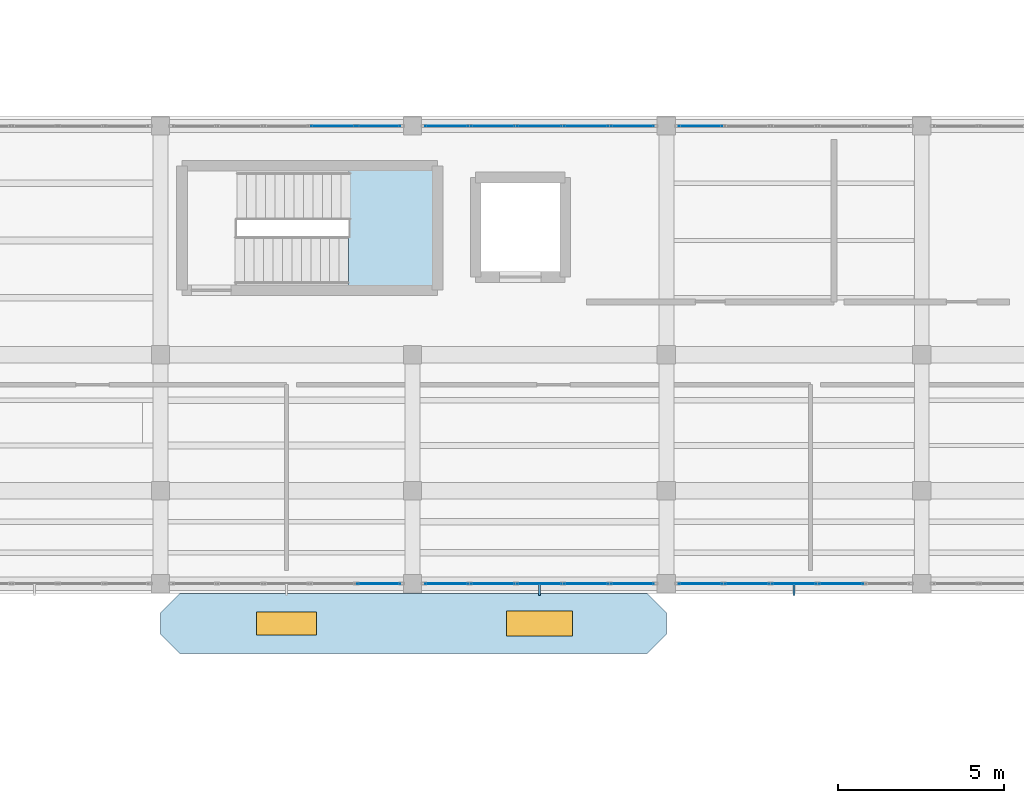
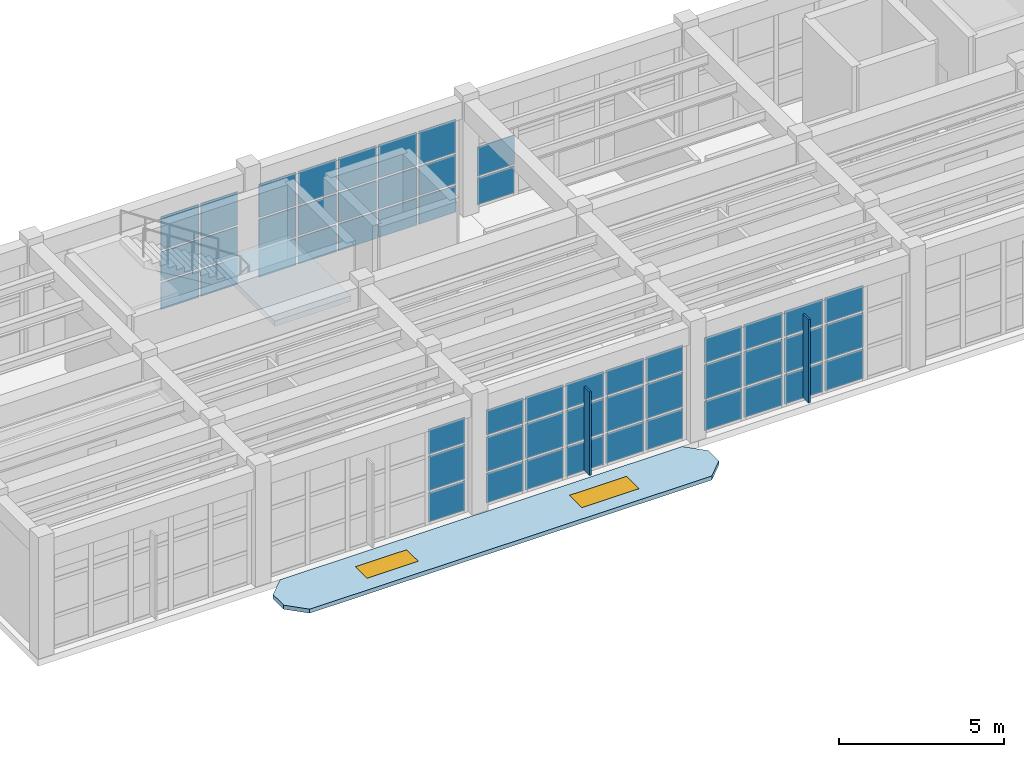
# One storey, part 56 of 85: 55 plates, 2 slabs, 2 windows, 2 openings, 7 elements without a shape of their own.
"""IFC4 building model written with IfcOpenShell, lengths in metres."""

from ifc_helpers import new_model, si_unit, direction, frame, origin, origin_2d, place, context, subcontext, project, spatial, polyline, rectangle, outline, extrude, material, layer, layer_set, type_object, element, fill, aggregate, save


model = new_model("IFC4")

# Units and contexts
model_context = context("Model", 3, precision=1e-05, world=origin(), true_north=direction((0.0, 1.0)))
body_context = subcontext(model_context, "Body", "Model", "MODEL_VIEW")
ifc_project = project(units=[si_unit("LENGTHUNIT", "METRE"), si_unit("AREAUNIT", "SQUARE_METRE"), si_unit("VOLUMEUNIT", "CUBIC_METRE"), si_unit("PLANEANGLEUNIT", "RADIAN"), si_unit("MASSUNIT", "GRAM", prefix="KILO")], contexts=[model_context])

# Site, building, storey
site_placement = place(None, origin())
site = spatial("IfcSite", under=ifc_project, at=site_placement, CompositionType="ELEMENT")
building_placement = place(site_placement, origin())
building = spatial("IfcBuilding", under=site, at=building_placement, Name="Candilejo Ridge Gondola Terminal", CompositionType="ELEMENT")
storey_placement = place(building_placement, frame((0.0, 0.0, 4.5)))
storey = spatial("IfcBuildingStorey", under=building, at=storey_placement, Name="L01", CompositionType="ELEMENT", Elevation=4.5)

# Curtain wall, plates
ifc_material_1 = material(Name="Anodised aluminium AA 6063-T6", Category="aluminium")
ifc_layer_1 = layer(ifc_material_1, 0.169921875)
ifc_layer_set_1 = layer_set([ifc_layer_1], Name="ARC-CW-GALLERY-3200-700X359")
curtain_wall_type_1 = type_object("IfcCurtainWallType", Name="ARC-CW-GALLERY-3200-700X359", PredefinedType="NOTDEFINED", material=ifc_layer_set_1)
curtain_wall_1_placement = place(storey_placement, origin())
curtain_wall_1 = element("IfcCurtainWall", 1, at=curtain_wall_1_placement, inside=storey, type_object=curtain_wall_type_1, Name="Curtain wall V3 L01-072", PredefinedType="NOTDEFINED")
ifc_material_2 = material(Name="Low-E laminated double glazing 6+12A+6+1.52PVB+6 mm", Category="glass")
ifc_layer_2 = layer(ifc_material_2, 0.028076171875)
ifc_layer_set_2 = layer_set([ifc_layer_2], Name="ARC-CW-GLAZ-PANEL")
plate_type_1 = type_object("IfcPlateType", Name="ARC-CW-GLAZ-PANEL", PredefinedType="CURTAIN_PANEL", material=ifc_layer_set_2)
plate_1_placement = place(storey_placement, frame((99.800048828125, 36.699951171875, 0.0751953125), z_axis=(0.0, 0.0, 1.0), x_axis=(1.0, 0.0, 0.0)))
plate_1 = element("IfcPlate", 2, at=plate_1_placement, type_object=plate_type_1, Name="CW-70X35 panel 4.1", PredefinedType="CURTAIN_PANEL", context=body_context, shape_type="SweptSolid", body=[
    extrude(rectangle(XDim=1.324951171875, YDim=0.028076171875, at=origin_2d()), origin(), (0.0, 0.0, 1.0), 0.987548828125),
])
plate_2_placement = place(storey_placement, frame((99.800048828125, 36.699951171875, 1.1376953125), z_axis=(0.0, 0.0, 1.0), x_axis=(1.0, 0.0, 0.0)))
plate_2 = element("IfcPlate", 3, at=plate_2_placement, type_object=plate_type_1, Name="CW-70X35 panel 4.2", PredefinedType="CURTAIN_PANEL", context=body_context, shape_type="SweptSolid", body=[
    extrude(rectangle(XDim=1.324951171875, YDim=0.028076171875, at=origin_2d()), origin(), (0.0, 0.0, 1.0), 1.074951171875),
])
plate_3_placement = place(storey_placement, frame((99.800048828125, 36.699951171875, 2.28759765625), z_axis=(0.0, 0.0, 1.0), x_axis=(1.0, 0.0, 0.0)))
plate_3 = element("IfcPlate", 4, at=plate_3_placement, type_object=plate_type_1, Name="CW-70X35 panel 4.3", PredefinedType="CURTAIN_PANEL", context=body_context, shape_type="SweptSolid", body=[
    extrude(rectangle(XDim=1.324951171875, YDim=0.028076171875, at=origin_2d()), origin(), (0.0, 0.0, 1.0), 1.2275390625),
])
plate_4_placement = place(storey_placement, frame((101.18115234375, 36.699951171875, 0.0751953125), z_axis=(0.0, 0.0, 1.0), x_axis=(1.0, 0.0, 0.0)))
plate_4 = element("IfcPlate", 5, at=plate_4_placement, type_object=plate_type_1, Name="CW-70X35 panel 5.1", PredefinedType="CURTAIN_PANEL", context=body_context, shape_type="SweptSolid", body=[
    extrude(rectangle(XDim=1.28759765625, YDim=0.028076171875, at=origin_2d()), origin(), (0.0, 0.0, 1.0), 0.987548828125),
])
plate_5_placement = place(storey_placement, frame((101.18115234375, 36.699951171875, 1.1376953125), z_axis=(0.0, 0.0, 1.0), x_axis=(1.0, 0.0, 0.0)))
plate_5 = element("IfcPlate", 6, at=plate_5_placement, type_object=plate_type_1, Name="CW-70X35 panel 5.2", PredefinedType="CURTAIN_PANEL", context=body_context, shape_type="SweptSolid", body=[
    extrude(rectangle(XDim=1.28759765625, YDim=0.028076171875, at=origin_2d()), origin(), (0.0, 0.0, 1.0), 1.074951171875),
])
plate_6_placement = place(storey_placement, frame((101.18115234375, 36.699951171875, 2.28759765625), z_axis=(0.0, 0.0, 1.0), x_axis=(1.0, 0.0, 0.0)))
plate_6 = element("IfcPlate", 7, at=plate_6_placement, type_object=plate_type_1, Name="CW-70X35 panel 5.3", PredefinedType="CURTAIN_PANEL", context=body_context, shape_type="SweptSolid", body=[
    extrude(rectangle(XDim=1.28759765625, YDim=0.028076171875, at=origin_2d()), origin(), (0.0, 0.0, 1.0), 1.2275390625),
])
aggregate(curtain_wall_1, [plate_1, plate_2, plate_3, plate_4, plate_5, plate_6])

ifc_material_3 = material(Name="Anodised aluminium AA 6063-T6", Category="aluminium")
ifc_layer_3 = layer(ifc_material_3, 0.169921875)
ifc_layer_set_3 = layer_set([ifc_layer_3], Name="ARC-CW-CONCOURSE-3600-700X359")
curtain_wall_type_2 = type_object("IfcCurtainWallType", Name="ARC-CW-CONCOURSE-3600-700X359", PredefinedType="NOTDEFINED", material=ifc_layer_set_3)
curtain_wall_2_placement = place(storey_placement, origin())
curtain_wall_2 = element("IfcCurtainWall", 8, at=curtain_wall_2_placement, inside=storey, type_object=curtain_wall_type_2, Name="Curtain wall V3 L01-073", PredefinedType="NOTDEFINED")
plate_7_placement = place(storey_placement, frame((101.18115234375, 22.89990234375, 0.074951171875), z_axis=(0.0, 0.0, 1.0), x_axis=(1.0, 0.0, 0.0)))
plate_7 = element("IfcPlate", 9, at=plate_7_placement, type_object=plate_type_1, Name="CW-70X35 panel 5.1", PredefinedType="CURTAIN_PANEL", context=body_context, shape_type="SweptSolid", body=[
    extrude(rectangle(XDim=1.28759765625, YDim=0.028076171875, at=origin_2d()), origin(), (0.0, 0.0, 1.0), 1.08740234375),
])
plate_8_placement = place(storey_placement, frame((101.18115234375, 22.89990234375, 1.237548828125), z_axis=(0.0, 0.0, 1.0), x_axis=(1.0, 0.0, 0.0)))
plate_8 = element("IfcPlate", 10, at=plate_8_placement, type_object=plate_type_1, Name="CW-70X35 panel 5.2", PredefinedType="CURTAIN_PANEL", context=body_context, shape_type="SweptSolid", body=[
    extrude(rectangle(XDim=1.28759765625, YDim=0.028076171875, at=origin_2d()), origin(), (0.0, 0.0, 1.0), 1.27490234375),
])
plate_9_placement = place(storey_placement, frame((101.18115234375, 22.89990234375, 2.58740234375), z_axis=(0.0, 0.0, 1.0), x_axis=(1.0, 0.0, 0.0)))
plate_9 = element("IfcPlate", 11, at=plate_9_placement, type_object=plate_type_1, Name="CW-70X35 panel 5.3", PredefinedType="CURTAIN_PANEL", context=body_context, shape_type="SweptSolid", body=[
    extrude(rectangle(XDim=1.28759765625, YDim=0.028076171875, at=origin_2d()), origin(), (0.0, 0.0, 1.0), 0.927490234375),
])
aggregate(curtain_wall_2, [plate_7, plate_8, plate_9])

ifc_material_4 = material(Name="Anodised aluminium AA 6063-T6", Category="aluminium")
ifc_layer_4 = layer(ifc_material_4, 0.169921875)
ifc_layer_set_4 = layer_set([ifc_layer_4], Name="ARC-CW-GALLERY-3200-705X359")
curtain_wall_type_3 = type_object("IfcCurtainWallType", Name="ARC-CW-GALLERY-3200-705X359", PredefinedType="NOTDEFINED", material=ifc_layer_set_4)
curtain_wall_3_placement = place(storey_placement, origin())
curtain_wall_3 = element("IfcCurtainWall", 12, at=curtain_wall_3_placement, inside=storey, type_object=curtain_wall_type_3, Name="Curtain wall V3 L01-074", PredefinedType="NOTDEFINED")
plate_10_placement = place(storey_placement, frame((103.2236328125, 36.699951171875, 0.0751953125), z_axis=(0.0, 0.0, 1.0), x_axis=(1.0, 0.0, 0.0)))
plate_10 = element("IfcPlate", 13, at=plate_10_placement, type_object=plate_type_1, Name="CW-70X35 panel 1.1", PredefinedType="CURTAIN_PANEL", context=body_context, shape_type="SweptSolid", body=[
    extrude(rectangle(XDim=1.297607421875, YDim=0.028076171875, at=origin_2d()), origin(), (0.0, 0.0, 1.0), 0.987548828125),
])
plate_11_placement = place(storey_placement, frame((103.2236328125, 36.699951171875, 1.1376953125), z_axis=(0.0, 0.0, 1.0), x_axis=(1.0, 0.0, 0.0)))
plate_11 = element("IfcPlate", 14, at=plate_11_placement, type_object=plate_type_1, Name="CW-70X35 panel 1.2", PredefinedType="CURTAIN_PANEL", context=body_context, shape_type="SweptSolid", body=[
    extrude(rectangle(XDim=1.297607421875, YDim=0.028076171875, at=origin_2d()), origin(), (0.0, 0.0, 1.0), 1.074951171875),
])
plate_12_placement = place(storey_placement, frame((103.2236328125, 36.699951171875, 2.28759765625), z_axis=(0.0, 0.0, 1.0), x_axis=(1.0, 0.0, 0.0)))
plate_12 = element("IfcPlate", 15, at=plate_12_placement, type_object=plate_type_1, Name="CW-70X35 panel 1.3", PredefinedType="CURTAIN_PANEL", context=body_context, shape_type="SweptSolid", body=[
    extrude(rectangle(XDim=1.297607421875, YDim=0.028076171875, at=origin_2d()), origin(), (0.0, 0.0, 1.0), 1.2275390625),
])
plate_13_placement = place(storey_placement, frame((104.614990234375, 36.699951171875, 0.0751953125), z_axis=(0.0, 0.0, 1.0), x_axis=(1.0, 0.0, 0.0)))
plate_13 = element("IfcPlate", 16, at=plate_13_placement, type_object=plate_type_1, Name="CW-70X35 panel 2.1", PredefinedType="CURTAIN_PANEL", context=body_context, shape_type="SweptSolid", body=[
    extrude(rectangle(XDim=1.3349609375, YDim=0.028076171875, at=origin_2d()), origin(), (0.0, 0.0, 1.0), 0.987548828125),
])
plate_14_placement = place(storey_placement, frame((104.614990234375, 36.699951171875, 1.1376953125), z_axis=(0.0, 0.0, 1.0), x_axis=(1.0, 0.0, 0.0)))
plate_14 = element("IfcPlate", 17, at=plate_14_placement, type_object=plate_type_1, Name="CW-70X35 panel 2.2", PredefinedType="CURTAIN_PANEL", context=body_context, shape_type="SweptSolid", body=[
    extrude(rectangle(XDim=1.3349609375, YDim=0.028076171875, at=origin_2d()), origin(), (0.0, 0.0, 1.0), 1.074951171875),
])
plate_15_placement = place(storey_placement, frame((104.614990234375, 36.699951171875, 2.28759765625), z_axis=(0.0, 0.0, 1.0), x_axis=(1.0, 0.0, 0.0)))
plate_15 = element("IfcPlate", 18, at=plate_15_placement, type_object=plate_type_1, Name="CW-70X35 panel 2.3", PredefinedType="CURTAIN_PANEL", context=body_context, shape_type="SweptSolid", body=[
    extrude(rectangle(XDim=1.3349609375, YDim=0.028076171875, at=origin_2d()), origin(), (0.0, 0.0, 1.0), 1.2275390625),
])
plate_16_placement = place(storey_placement, frame((106.02490234375, 36.699951171875, 0.0751953125), z_axis=(0.0, 0.0, 1.0), x_axis=(1.0, 0.0, 0.0)))
plate_16 = element("IfcPlate", 19, at=plate_16_placement, type_object=plate_type_1, Name="CW-70X35 panel 3.1", PredefinedType="CURTAIN_PANEL", context=body_context, shape_type="SweptSolid", body=[
    extrude(rectangle(XDim=1.3349609375, YDim=0.028076171875, at=origin_2d()), origin(), (0.0, 0.0, 1.0), 0.987548828125),
])
plate_17_placement = place(storey_placement, frame((106.02490234375, 36.699951171875, 1.1376953125), z_axis=(0.0, 0.0, 1.0), x_axis=(1.0, 0.0, 0.0)))
plate_17 = element("IfcPlate", 20, at=plate_17_placement, type_object=plate_type_1, Name="CW-70X35 panel 3.2", PredefinedType="CURTAIN_PANEL", context=body_context, shape_type="SweptSolid", body=[
    extrude(rectangle(XDim=1.3349609375, YDim=0.028076171875, at=origin_2d()), origin(), (0.0, 0.0, 1.0), 1.074951171875),
])
plate_18_placement = place(storey_placement, frame((106.02490234375, 36.699951171875, 2.28759765625), z_axis=(0.0, 0.0, 1.0), x_axis=(1.0, 0.0, 0.0)))
plate_18 = element("IfcPlate", 21, at=plate_18_placement, type_object=plate_type_1, Name="CW-70X35 panel 3.3", PredefinedType="CURTAIN_PANEL", context=body_context, shape_type="SweptSolid", body=[
    extrude(rectangle(XDim=1.3349609375, YDim=0.028076171875, at=origin_2d()), origin(), (0.0, 0.0, 1.0), 1.2275390625),
])
plate_19_placement = place(storey_placement, frame((107.43505859375, 36.699951171875, 0.0751953125), z_axis=(0.0, 0.0, 1.0), x_axis=(1.0, 0.0, 0.0)))
plate_19 = element("IfcPlate", 22, at=plate_19_placement, type_object=plate_type_1, Name="CW-70X35 panel 4.1", PredefinedType="CURTAIN_PANEL", context=body_context, shape_type="SweptSolid", body=[
    extrude(rectangle(XDim=1.3349609375, YDim=0.028076171875, at=origin_2d()), origin(), (0.0, 0.0, 1.0), 0.987548828125),
])
plate_20_placement = place(storey_placement, frame((107.43505859375, 36.699951171875, 1.1376953125), z_axis=(0.0, 0.0, 1.0), x_axis=(1.0, 0.0, 0.0)))
plate_20 = element("IfcPlate", 23, at=plate_20_placement, type_object=plate_type_1, Name="CW-70X35 panel 4.2", PredefinedType="CURTAIN_PANEL", context=body_context, shape_type="SweptSolid", body=[
    extrude(rectangle(XDim=1.3349609375, YDim=0.028076171875, at=origin_2d()), origin(), (0.0, 0.0, 1.0), 1.074951171875),
])
plate_21_placement = place(storey_placement, frame((107.43505859375, 36.699951171875, 2.28759765625), z_axis=(0.0, 0.0, 1.0), x_axis=(1.0, 0.0, 0.0)))
plate_21 = element("IfcPlate", 24, at=plate_21_placement, type_object=plate_type_1, Name="CW-70X35 panel 4.3", PredefinedType="CURTAIN_PANEL", context=body_context, shape_type="SweptSolid", body=[
    extrude(rectangle(XDim=1.3349609375, YDim=0.028076171875, at=origin_2d()), origin(), (0.0, 0.0, 1.0), 1.2275390625),
])
plate_22_placement = place(storey_placement, frame((108.826171875, 36.699951171875, 0.0751953125), z_axis=(0.0, 0.0, 1.0), x_axis=(1.0, 0.0, 0.0)))
plate_22 = element("IfcPlate", 25, at=plate_22_placement, type_object=plate_type_1, Name="CW-70X35 panel 5.1", PredefinedType="CURTAIN_PANEL", context=body_context, shape_type="SweptSolid", body=[
    extrude(rectangle(XDim=1.297607421875, YDim=0.028076171875, at=origin_2d()), origin(), (0.0, 0.0, 1.0), 0.987548828125),
])
plate_23_placement = place(storey_placement, frame((108.826171875, 36.699951171875, 1.1376953125), z_axis=(0.0, 0.0, 1.0), x_axis=(1.0, 0.0, 0.0)))
plate_23 = element("IfcPlate", 26, at=plate_23_placement, type_object=plate_type_1, Name="CW-70X35 panel 5.2", PredefinedType="CURTAIN_PANEL", context=body_context, shape_type="SweptSolid", body=[
    extrude(rectangle(XDim=1.297607421875, YDim=0.028076171875, at=origin_2d()), origin(), (0.0, 0.0, 1.0), 1.074951171875),
])
plate_24_placement = place(storey_placement, frame((108.826171875, 36.699951171875, 2.28759765625), z_axis=(0.0, 0.0, 1.0), x_axis=(1.0, 0.0, 0.0)))
plate_24 = element("IfcPlate", 27, at=plate_24_placement, type_object=plate_type_1, Name="CW-70X35 panel 5.3", PredefinedType="CURTAIN_PANEL", context=body_context, shape_type="SweptSolid", body=[
    extrude(rectangle(XDim=1.297607421875, YDim=0.028076171875, at=origin_2d()), origin(), (0.0, 0.0, 1.0), 1.2275390625),
])
aggregate(curtain_wall_3, [plate_10, plate_11, plate_12, plate_13, plate_14, plate_15, plate_16, plate_17, plate_18, plate_19, plate_20, plate_21, plate_22, plate_23, plate_24])

ifc_material_5 = material(Name="Anodised aluminium AA 6063-T6", Category="aluminium")
ifc_layer_5 = layer(ifc_material_5, 0.169921875)
ifc_layer_set_5 = layer_set([ifc_layer_5], Name="ARC-CW-CONCOURSE-3600-705X359")
curtain_wall_type_4 = type_object("IfcCurtainWallType", Name="ARC-CW-CONCOURSE-3600-705X359", PredefinedType="NOTDEFINED", material=ifc_layer_set_5)
curtain_wall_4_placement = place(storey_placement, origin())
curtain_wall_4 = element("IfcCurtainWall", 28, at=curtain_wall_4_placement, inside=storey, type_object=curtain_wall_type_4, Name="Curtain wall V3 L01-075", PredefinedType="NOTDEFINED")
plate_25_placement = place(storey_placement, frame((103.2236328125, 22.89990234375, 0.074951171875), z_axis=(0.0, 0.0, 1.0), x_axis=(1.0, 0.0, 0.0)))
plate_25 = element("IfcPlate", 29, at=plate_25_placement, type_object=plate_type_1, Name="CW-70X35 panel 1.1", PredefinedType="CURTAIN_PANEL", context=body_context, shape_type="SweptSolid", body=[
    extrude(rectangle(XDim=1.297607421875, YDim=0.028076171875, at=origin_2d()), origin(), (0.0, 0.0, 1.0), 1.08740234375),
])
plate_26_placement = place(storey_placement, frame((103.2236328125, 22.89990234375, 1.237548828125), z_axis=(0.0, 0.0, 1.0), x_axis=(1.0, 0.0, 0.0)))
plate_26 = element("IfcPlate", 30, at=plate_26_placement, type_object=plate_type_1, Name="CW-70X35 panel 1.2", PredefinedType="CURTAIN_PANEL", context=body_context, shape_type="SweptSolid", body=[
    extrude(rectangle(XDim=1.297607421875, YDim=0.028076171875, at=origin_2d()), origin(), (0.0, 0.0, 1.0), 1.27490234375),
])
plate_27_placement = place(storey_placement, frame((103.2236328125, 22.89990234375, 2.58740234375), z_axis=(0.0, 0.0, 1.0), x_axis=(1.0, 0.0, 0.0)))
plate_27 = element("IfcPlate", 31, at=plate_27_placement, type_object=plate_type_1, Name="CW-70X35 panel 1.3", PredefinedType="CURTAIN_PANEL", context=body_context, shape_type="SweptSolid", body=[
    extrude(rectangle(XDim=1.297607421875, YDim=0.028076171875, at=origin_2d()), origin(), (0.0, 0.0, 1.0), 0.927490234375),
])
plate_28_placement = place(storey_placement, frame((104.614990234375, 22.89990234375, 0.074951171875), z_axis=(0.0, 0.0, 1.0), x_axis=(1.0, 0.0, 0.0)))
plate_28 = element("IfcPlate", 32, at=plate_28_placement, type_object=plate_type_1, Name="CW-70X35 panel 2.1", PredefinedType="CURTAIN_PANEL", context=body_context, shape_type="SweptSolid", body=[
    extrude(rectangle(XDim=1.3349609375, YDim=0.028076171875, at=origin_2d()), origin(), (0.0, 0.0, 1.0), 1.08740234375),
])
plate_29_placement = place(storey_placement, frame((104.614990234375, 22.89990234375, 1.237548828125), z_axis=(0.0, 0.0, 1.0), x_axis=(1.0, 0.0, 0.0)))
plate_29 = element("IfcPlate", 33, at=plate_29_placement, type_object=plate_type_1, Name="CW-70X35 panel 2.2", PredefinedType="CURTAIN_PANEL", context=body_context, shape_type="SweptSolid", body=[
    extrude(rectangle(XDim=1.3349609375, YDim=0.028076171875, at=origin_2d()), origin(), (0.0, 0.0, 1.0), 1.27490234375),
])
plate_30_placement = place(storey_placement, frame((104.614990234375, 22.89990234375, 2.58740234375), z_axis=(0.0, 0.0, 1.0), x_axis=(1.0, 0.0, 0.0)))
plate_30 = element("IfcPlate", 34, at=plate_30_placement, type_object=plate_type_1, Name="CW-70X35 panel 2.3", PredefinedType="CURTAIN_PANEL", context=body_context, shape_type="SweptSolid", body=[
    extrude(rectangle(XDim=1.3349609375, YDim=0.028076171875, at=origin_2d()), origin(), (0.0, 0.0, 1.0), 0.927490234375),
])
plate_31_placement = place(storey_placement, frame((106.02490234375, 22.89990234375, 0.074951171875), z_axis=(0.0, 0.0, 1.0), x_axis=(1.0, 0.0, 0.0)))
plate_31 = element("IfcPlate", 35, at=plate_31_placement, type_object=plate_type_1, Name="CW-70X35 panel 3.1", PredefinedType="CURTAIN_PANEL", context=body_context, shape_type="SweptSolid", body=[
    extrude(rectangle(XDim=1.3349609375, YDim=0.028076171875, at=origin_2d()), origin(), (0.0, 0.0, 1.0), 1.08740234375),
])
plate_32_placement = place(storey_placement, frame((106.02490234375, 22.89990234375, 1.237548828125), z_axis=(0.0, 0.0, 1.0), x_axis=(1.0, 0.0, 0.0)))
plate_32 = element("IfcPlate", 36, at=plate_32_placement, type_object=plate_type_1, Name="CW-70X35 panel 3.2", PredefinedType="CURTAIN_PANEL", context=body_context, shape_type="SweptSolid", body=[
    extrude(rectangle(XDim=1.3349609375, YDim=0.028076171875, at=origin_2d()), origin(), (0.0, 0.0, 1.0), 1.27490234375),
])
plate_33_placement = place(storey_placement, frame((106.02490234375, 22.89990234375, 2.58740234375), z_axis=(0.0, 0.0, 1.0), x_axis=(1.0, 0.0, 0.0)))
plate_33 = element("IfcPlate", 37, at=plate_33_placement, type_object=plate_type_1, Name="CW-70X35 panel 3.3", PredefinedType="CURTAIN_PANEL", context=body_context, shape_type="SweptSolid", body=[
    extrude(rectangle(XDim=1.3349609375, YDim=0.028076171875, at=origin_2d()), origin(), (0.0, 0.0, 1.0), 0.927490234375),
])
plate_34_placement = place(storey_placement, frame((107.43505859375, 22.89990234375, 0.074951171875), z_axis=(0.0, 0.0, 1.0), x_axis=(1.0, 0.0, 0.0)))
plate_34 = element("IfcPlate", 38, at=plate_34_placement, type_object=plate_type_1, Name="CW-70X35 panel 4.1", PredefinedType="CURTAIN_PANEL", context=body_context, shape_type="SweptSolid", body=[
    extrude(rectangle(XDim=1.3349609375, YDim=0.028076171875, at=origin_2d()), origin(), (0.0, 0.0, 1.0), 1.08740234375),
])
plate_35_placement = place(storey_placement, frame((107.43505859375, 22.89990234375, 1.237548828125), z_axis=(0.0, 0.0, 1.0), x_axis=(1.0, 0.0, 0.0)))
plate_35 = element("IfcPlate", 39, at=plate_35_placement, type_object=plate_type_1, Name="CW-70X35 panel 4.2", PredefinedType="CURTAIN_PANEL", context=body_context, shape_type="SweptSolid", body=[
    extrude(rectangle(XDim=1.3349609375, YDim=0.028076171875, at=origin_2d()), origin(), (0.0, 0.0, 1.0), 1.27490234375),
])
plate_36_placement = place(storey_placement, frame((107.43505859375, 22.89990234375, 2.58740234375), z_axis=(0.0, 0.0, 1.0), x_axis=(1.0, 0.0, 0.0)))
plate_36 = element("IfcPlate", 40, at=plate_36_placement, type_object=plate_type_1, Name="CW-70X35 panel 4.3", PredefinedType="CURTAIN_PANEL", context=body_context, shape_type="SweptSolid", body=[
    extrude(rectangle(XDim=1.3349609375, YDim=0.028076171875, at=origin_2d()), origin(), (0.0, 0.0, 1.0), 0.927490234375),
])
plate_37_placement = place(storey_placement, frame((108.826171875, 22.89990234375, 0.074951171875), z_axis=(0.0, 0.0, 1.0), x_axis=(1.0, 0.0, 0.0)))
plate_37 = element("IfcPlate", 41, at=plate_37_placement, type_object=plate_type_1, Name="CW-70X35 panel 5.1", PredefinedType="CURTAIN_PANEL", context=body_context, shape_type="SweptSolid", body=[
    extrude(rectangle(XDim=1.297607421875, YDim=0.028076171875, at=origin_2d()), origin(), (0.0, 0.0, 1.0), 1.08740234375),
])
plate_38_placement = place(storey_placement, frame((108.826171875, 22.89990234375, 1.237548828125), z_axis=(0.0, 0.0, 1.0), x_axis=(1.0, 0.0, 0.0)))
plate_38 = element("IfcPlate", 42, at=plate_38_placement, type_object=plate_type_1, Name="CW-70X35 panel 5.2", PredefinedType="CURTAIN_PANEL", context=body_context, shape_type="SweptSolid", body=[
    extrude(rectangle(XDim=1.297607421875, YDim=0.028076171875, at=origin_2d()), origin(), (0.0, 0.0, 1.0), 1.27490234375),
])
plate_39_placement = place(storey_placement, frame((108.826171875, 22.89990234375, 2.58740234375), z_axis=(0.0, 0.0, 1.0), x_axis=(1.0, 0.0, 0.0)))
plate_39 = element("IfcPlate", 43, at=plate_39_placement, type_object=plate_type_1, Name="CW-70X35 panel 5.3", PredefinedType="CURTAIN_PANEL", context=body_context, shape_type="SweptSolid", body=[
    extrude(rectangle(XDim=1.297607421875, YDim=0.028076171875, at=origin_2d()), origin(), (0.0, 0.0, 1.0), 0.927490234375),
])
aggregate(curtain_wall_4, [plate_25, plate_26, plate_27, plate_28, plate_29, plate_30, plate_31, plate_32, plate_33, plate_34, plate_35, plate_36, plate_37, plate_38, plate_39])

ifc_material_6 = material(Name="Anodised aluminium AA 6063-T6", Category="aluminium")
ifc_layer_6 = layer(ifc_material_6, 0.169921875)
ifc_layer_set_6 = layer_set([ifc_layer_6], Name="ARC-CW-GALLERY-3200-710X359")
curtain_wall_type_5 = type_object("IfcCurtainWallType", Name="ARC-CW-GALLERY-3200-710X359", PredefinedType="NOTDEFINED", material=ifc_layer_set_6)
curtain_wall_5_placement = place(storey_placement, origin())
curtain_wall_5 = element("IfcCurtainWall", 44, at=curtain_wall_5_placement, inside=storey, type_object=curtain_wall_type_5, Name="Curtain wall V3 L01-076", PredefinedType="NOTDEFINED")
plate_40_placement = place(storey_placement, frame((110.878662109375, 36.699951171875, 0.0751953125), z_axis=(0.0, 0.0, 1.0), x_axis=(1.0, 0.0, 0.0)))
plate_40 = element("IfcPlate", 45, at=plate_40_placement, type_object=plate_type_1, Name="CW-71X35 panel 1.1", PredefinedType="CURTAIN_PANEL", context=body_context, shape_type="SweptSolid", body=[
    extrude(rectangle(XDim=1.3076171875, YDim=0.028076171875, at=origin_2d()), origin(), (0.0, 0.0, 1.0), 0.987548828125),
])
plate_41_placement = place(storey_placement, frame((110.878662109375, 36.699951171875, 1.1376953125), z_axis=(0.0, 0.0, 1.0), x_axis=(1.0, 0.0, 0.0)))
plate_41 = element("IfcPlate", 46, at=plate_41_placement, type_object=plate_type_1, Name="CW-71X35 panel 1.2", PredefinedType="CURTAIN_PANEL", context=body_context, shape_type="SweptSolid", body=[
    extrude(rectangle(XDim=1.3076171875, YDim=0.028076171875, at=origin_2d()), origin(), (0.0, 0.0, 1.0), 1.074951171875),
])
aggregate(curtain_wall_5, [plate_40, plate_41])

ifc_material_7 = material(Name="Anodised aluminium AA 6063-T6", Category="aluminium")
ifc_layer_7 = layer(ifc_material_7, 0.169921875)
ifc_layer_set_7 = layer_set([ifc_layer_7], Name="ARC-CW-CONCOURSE-3600-710X359")
curtain_wall_type_6 = type_object("IfcCurtainWallType", Name="ARC-CW-CONCOURSE-3600-710X359", PredefinedType="NOTDEFINED", material=ifc_layer_set_7)
curtain_wall_6_placement = place(storey_placement, origin())
curtain_wall_6 = element("IfcCurtainWall", 47, at=curtain_wall_6_placement, inside=storey, type_object=curtain_wall_type_6, Name="Curtain wall V3 L01-077", PredefinedType="NOTDEFINED")
plate_42_placement = place(storey_placement, frame((110.878662109375, 22.89990234375, 0.074951171875), z_axis=(0.0, 0.0, 1.0), x_axis=(1.0, 0.0, 0.0)))
plate_42 = element("IfcPlate", 48, at=plate_42_placement, type_object=plate_type_1, Name="CW-71X35 panel 1.1", PredefinedType="CURTAIN_PANEL", context=body_context, shape_type="SweptSolid", body=[
    extrude(rectangle(XDim=1.3076171875, YDim=0.028076171875, at=origin_2d()), origin(), (0.0, 0.0, 1.0), 1.08740234375),
])
plate_43_placement = place(storey_placement, frame((110.878662109375, 22.89990234375, 1.237548828125), z_axis=(0.0, 0.0, 1.0), x_axis=(1.0, 0.0, 0.0)))
plate_43 = element("IfcPlate", 49, at=plate_43_placement, type_object=plate_type_1, Name="CW-71X35 panel 1.2", PredefinedType="CURTAIN_PANEL", context=body_context, shape_type="SweptSolid", body=[
    extrude(rectangle(XDim=1.3076171875, YDim=0.028076171875, at=origin_2d()), origin(), (0.0, 0.0, 1.0), 1.27490234375),
])
plate_44_placement = place(storey_placement, frame((110.878662109375, 22.89990234375, 2.58740234375), z_axis=(0.0, 0.0, 1.0), x_axis=(1.0, 0.0, 0.0)))
plate_44 = element("IfcPlate", 50, at=plate_44_placement, type_object=plate_type_1, Name="CW-71X35 panel 1.3", PredefinedType="CURTAIN_PANEL", context=body_context, shape_type="SweptSolid", body=[
    extrude(rectangle(XDim=1.3076171875, YDim=0.028076171875, at=origin_2d()), origin(), (0.0, 0.0, 1.0), 0.927490234375),
])
plate_45_placement = place(storey_placement, frame((112.280029296875, 22.89990234375, 0.074951171875), z_axis=(0.0, 0.0, 1.0), x_axis=(1.0, 0.0, 0.0)))
plate_45 = element("IfcPlate", 51, at=plate_45_placement, type_object=plate_type_1, Name="CW-71X35 panel 2.1", PredefinedType="CURTAIN_PANEL", context=body_context, shape_type="SweptSolid", body=[
    extrude(rectangle(XDim=1.344970703125, YDim=0.028076171875, at=origin_2d()), origin(), (0.0, 0.0, 1.0), 1.08740234375),
])
plate_46_placement = place(storey_placement, frame((112.280029296875, 22.89990234375, 1.237548828125), z_axis=(0.0, 0.0, 1.0), x_axis=(1.0, 0.0, 0.0)))
plate_46 = element("IfcPlate", 52, at=plate_46_placement, type_object=plate_type_1, Name="CW-71X35 panel 2.2", PredefinedType="CURTAIN_PANEL", context=body_context, shape_type="SweptSolid", body=[
    extrude(rectangle(XDim=1.344970703125, YDim=0.028076171875, at=origin_2d()), origin(), (0.0, 0.0, 1.0), 1.27490234375),
])
plate_47_placement = place(storey_placement, frame((112.280029296875, 22.89990234375, 2.58740234375), z_axis=(0.0, 0.0, 1.0), x_axis=(1.0, 0.0, 0.0)))
plate_47 = element("IfcPlate", 53, at=plate_47_placement, type_object=plate_type_1, Name="CW-71X35 panel 2.3", PredefinedType="CURTAIN_PANEL", context=body_context, shape_type="SweptSolid", body=[
    extrude(rectangle(XDim=1.344970703125, YDim=0.028076171875, at=origin_2d()), origin(), (0.0, 0.0, 1.0), 0.927490234375),
])
plate_48_placement = place(storey_placement, frame((113.699951171875, 22.89990234375, 0.074951171875), z_axis=(0.0, 0.0, 1.0), x_axis=(1.0, 0.0, 0.0)))
plate_48 = element("IfcPlate", 54, at=plate_48_placement, type_object=plate_type_1, Name="CW-71X35 panel 3.1", PredefinedType="CURTAIN_PANEL", context=body_context, shape_type="SweptSolid", body=[
    extrude(rectangle(XDim=1.344970703125, YDim=0.028076171875, at=origin_2d()), origin(), (0.0, 0.0, 1.0), 1.08740234375),
])
plate_49_placement = place(storey_placement, frame((113.699951171875, 22.89990234375, 1.237548828125), z_axis=(0.0, 0.0, 1.0), x_axis=(1.0, 0.0, 0.0)))
plate_49 = element("IfcPlate", 55, at=plate_49_placement, type_object=plate_type_1, Name="CW-71X35 panel 3.2", PredefinedType="CURTAIN_PANEL", context=body_context, shape_type="SweptSolid", body=[
    extrude(rectangle(XDim=1.344970703125, YDim=0.028076171875, at=origin_2d()), origin(), (0.0, 0.0, 1.0), 1.27490234375),
])
plate_50_placement = place(storey_placement, frame((113.699951171875, 22.89990234375, 2.58740234375), z_axis=(0.0, 0.0, 1.0), x_axis=(1.0, 0.0, 0.0)))
plate_50 = element("IfcPlate", 56, at=plate_50_placement, type_object=plate_type_1, Name="CW-71X35 panel 3.3", PredefinedType="CURTAIN_PANEL", context=body_context, shape_type="SweptSolid", body=[
    extrude(rectangle(XDim=1.344970703125, YDim=0.028076171875, at=origin_2d()), origin(), (0.0, 0.0, 1.0), 0.927490234375),
])
plate_51_placement = place(storey_placement, frame((115.1201171875, 22.89990234375, 0.074951171875), z_axis=(0.0, 0.0, 1.0), x_axis=(1.0, 0.0, 0.0)))
plate_51 = element("IfcPlate", 57, at=plate_51_placement, type_object=plate_type_1, Name="CW-71X35 panel 4.1", PredefinedType="CURTAIN_PANEL", context=body_context, shape_type="SweptSolid", body=[
    extrude(rectangle(XDim=1.344970703125, YDim=0.028076171875, at=origin_2d()), origin(), (0.0, 0.0, 1.0), 1.08740234375),
])
plate_52_placement = place(storey_placement, frame((115.1201171875, 22.89990234375, 1.237548828125), z_axis=(0.0, 0.0, 1.0), x_axis=(1.0, 0.0, 0.0)))
plate_52 = element("IfcPlate", 58, at=plate_52_placement, type_object=plate_type_1, Name="CW-71X35 panel 4.2", PredefinedType="CURTAIN_PANEL", context=body_context, shape_type="SweptSolid", body=[
    extrude(rectangle(XDim=1.344970703125, YDim=0.028076171875, at=origin_2d()), origin(), (0.0, 0.0, 1.0), 1.27490234375),
])
plate_53_placement = place(storey_placement, frame((115.1201171875, 22.89990234375, 2.58740234375), z_axis=(0.0, 0.0, 1.0), x_axis=(1.0, 0.0, 0.0)))
plate_53 = element("IfcPlate", 59, at=plate_53_placement, type_object=plate_type_1, Name="CW-71X35 panel 4.3", PredefinedType="CURTAIN_PANEL", context=body_context, shape_type="SweptSolid", body=[
    extrude(rectangle(XDim=1.344970703125, YDim=0.028076171875, at=origin_2d()), origin(), (0.0, 0.0, 1.0), 0.927490234375),
])
aggregate(curtain_wall_6, [plate_42, plate_43, plate_44, plate_45, plate_46, plate_47, plate_48, plate_49, plate_50, plate_51, plate_52, plate_53])

# Plates
ifc_material_8 = material(Name="Extruded architectural terracotta fin", Category="masonry")
plate_type_2 = type_object("IfcPlateType", Name="ARC-SOLAR-FIN-340", PredefinedType="USERDEFINED", material=ifc_material_8)
for number, where, z_axis, x_axis, name in (
    (60, (106.02490234375, 22.716064453125, 0.099853515625), (0.0, 0.0, 1.0), (1.0, 0.0, 0.0), "Terracotta solar fin V3-20"),
    (61, (113.699951171875, 22.716064453125, 0.099853515625), (0.0, 0.0, 1.0), (1.0, 0.0, 0.0), "Terracotta solar fin V3-21"),
):
    element("IfcPlate", number, at=place(storey_placement, frame(where, z_axis=z_axis, x_axis=x_axis)), inside=storey, type_object=plate_type_2, Name=name, ObjectType="SOLAR FIN", PredefinedType="USERDEFINED", context=body_context, shape_type="SweptSolid", body=[
        extrude(rectangle(XDim=0.06494140625, YDim=0.340087890625, at=origin_2d()), origin(), (0.0, 0.0, 1.0), 3.10009765625),
    ])

# Slab, openings, windows
ifc_material_9 = material(Name="Concrete f'c 35 MPa (C35/45)", Category="concrete")
ifc_layer_8 = layer(ifc_material_9, 0.14990234375)
ifc_layer_set_8 = layer_set([ifc_layer_8], Name="STR-CANOPY-DECK-150")
slab_type_1 = type_object("IfcSlabType", Name="STR-CANOPY-DECK-150", PredefinedType="USERDEFINED", material=ifc_layer_set_8)
slab_1_placement = place(storey_placement, frame((0.0, 0.0, -0.14990234375)))
slab_1 = element("IfcSlab", 62, at=slab_1_placement, inside=storey, type_object=slab_type_1, Name="Slab CN-V3-LOAD", ObjectType="CANOPY DECK", PredefinedType="USERDEFINED", context=body_context, shape_type="SweptSolid", body=[
    extrude(outline(polyline([(95.176025390625, 20.800048828125), (109.27392578125, 20.800048828125), (109.85009765625, 21.3759765625), (109.85009765625, 22.02392578125), (109.27392578125, 22.60009765625), (95.176025390625, 22.60009765625), (94.60009765625, 22.02392578125), (94.60009765625, 21.3759765625), (95.176025390625, 20.800048828125)])), origin(), (0.0, 0.0, 1.0), 0.14990234375),
])
opening_1_placement = place(slab_1_placement, frame((98.39990234375, 21.699951171875, 0.0)))
opening_1 = element("IfcOpeningElement", 63, at=opening_1_placement, cuts=slab_1, Name="Opening SK-01", PredefinedType="OPENING", context=body_context, shape_type="SweptSolid", body=[
    extrude(rectangle(XDim=1.800048828125, YDim=0.699951171875, at=origin_2d()), origin(), (0.0, 0.0, 1.0), 0.14990234375),
])
opening_2_placement = place(slab_1_placement, frame((106.02490234375, 21.699951171875, 0.0)))
opening_2 = element("IfcOpeningElement", 64, at=opening_2_placement, cuts=slab_1, Name="Opening SK-02", PredefinedType="OPENING", context=body_context, shape_type="SweptSolid", body=[
    extrude(rectangle(XDim=2.0, YDim=0.75, at=origin_2d()), origin(), (0.0, 0.0, 1.0), 0.14990234375),
])
ifc_material_10 = material(Name="Laminated solar-control skylight double glazing", Category="glass")
window_type_1 = type_object("IfcWindowType", Name="ARC-SKYLIGHT-1800", PartitioningType="SINGLE_PANEL", PredefinedType="SKYLIGHT", material=ifc_material_10)
window_1_placement = place(opening_1_placement, frame((0.0, 0.0, 0.099853515625)))
window_1 = element("IfcWindow", 65, at=window_1_placement, inside=storey, type_object=window_type_1, Name="Canopy daylight skylight SKY-04", OverallHeight=0.699951171875, OverallWidth=1.800048828125, PartitioningType="SINGLE_PANEL", PredefinedType="SKYLIGHT", context=body_context, shape_type="SweptSolid", body=[
    extrude(rectangle(XDim=1.800048828125, YDim=0.699951171875, at=origin_2d()), origin(), (0.0, 0.0, 1.0), 0.050048828125),
])
fill(opening_1, window_1)
ifc_material_11 = material(Name="Laminated solar-control skylight double glazing", Category="glass")
window_type_2 = type_object("IfcWindowType", Name="ARC-SKYLIGHT-2000", PartitioningType="SINGLE_PANEL", PredefinedType="SKYLIGHT", material=ifc_material_11)
window_2_placement = place(opening_2_placement, frame((0.0, 0.0, 0.099853515625)))
window_2 = element("IfcWindow", 66, at=window_2_placement, inside=storey, type_object=window_type_2, Name="Canopy daylight skylight SKY-05", OverallHeight=0.75, OverallWidth=2.0, PartitioningType="SINGLE_PANEL", PredefinedType="SKYLIGHT", context=body_context, shape_type="SweptSolid", body=[
    extrude(rectangle(XDim=2.0, YDim=0.75, at=origin_2d()), origin(), (0.0, 0.0, 1.0), 0.050048828125),
])
fill(opening_2, window_2)

# Stair, slab
ifc_material_12 = material(Name="Concrete f'c 35 MPa (C35/45)", Category="concrete")
stair_type = type_object("IfcStairType", Name="STR-STAIR-1450-4500", PredefinedType="HALF_TURN_STAIR", material=ifc_material_12)
stair_placement = place(storey_placement, origin())
stair = element("IfcStair", 67, at=stair_placement, inside=storey, type_object=stair_type, Name="Enclosed fire exit stair ST-V3A-L01", PredefinedType="HALF_TURN_STAIR")
ifc_material_13 = material(Name="Concrete f'c 35 MPa (C35/45)", Category="concrete")
ifc_layer_9 = layer(ifc_material_13, 0.199951171875)
ifc_layer_set_9 = layer_set([ifc_layer_9], Name="STR-STAIR-LANDING-200")
slab_type_2 = type_object("IfcSlabType", Name="STR-STAIR-LANDING-200", PredefinedType="LANDING", material=ifc_layer_set_9)
slab_2_placement = place(storey_placement, frame((0.0, 0.0, 2.050048828125)))
slab_2 = element("IfcSlab", 68, at=slab_2_placement, type_object=slab_type_2, Name="Stair half-landing ST-V3A-LND-02", PredefinedType="LANDING", context=body_context, shape_type="SweptSolid", body=[
    extrude(outline(polyline([(100.27001953125, 31.75), (102.949951171875, 31.75), (102.949951171875, 35.5), (100.27001953125, 35.5), (100.27001953125, 31.75)])), origin(), (0.0, 0.0, 1.0), 0.199951171875),
])
aggregate(stair, [slab_2])

save(model, "model.ifc")
